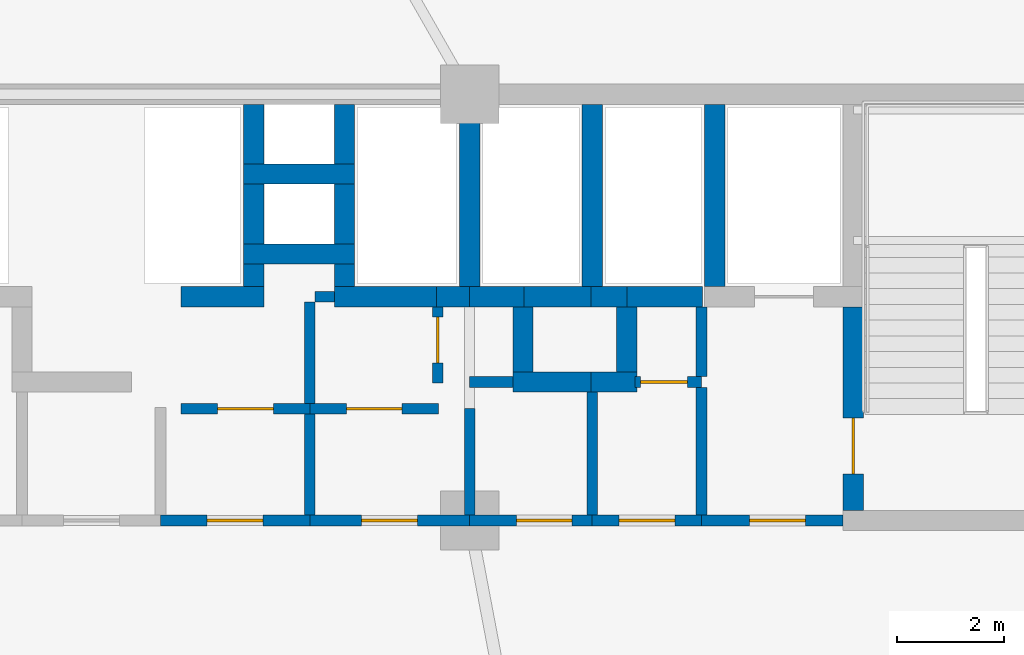
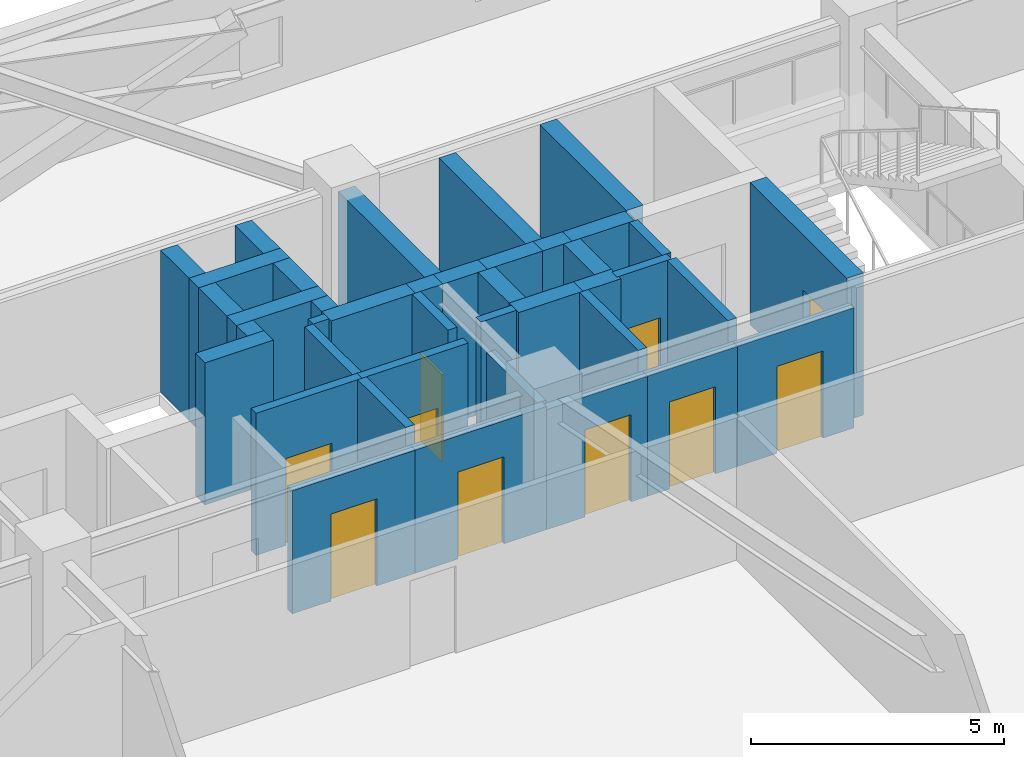
# One storey, part 22 of 27: 40 walls, 10 doors, 10 openings.
"""IFC4 building model written with IfcOpenShell, lengths in metres."""

from ifc_helpers import new_model, si_unit, direction, frame, frame_2d, origin, place, context, subcontext, project, spatial, rectangle, extrude, source, transform, mapped, material, layer, layer_set, type_object, element, fill, save


model = new_model("IFC4")

# Units and contexts
model_context = context("Model", 3, precision=1e-05, world=origin(), true_north=direction((0.0, 1.0)))
body_context = subcontext(model_context, "Body", "Model", "MODEL_VIEW")
ifc_project = project(units=[si_unit("LENGTHUNIT", "METRE"), si_unit("AREAUNIT", "SQUARE_METRE"), si_unit("VOLUMEUNIT", "CUBIC_METRE"), si_unit("PLANEANGLEUNIT", "RADIAN"), si_unit("MASSUNIT", "GRAM", prefix="KILO")], contexts=[model_context])

# Site, building, storey
site_placement = place(None, origin())
site = spatial("IfcSite", under=ifc_project, at=site_placement, CompositionType="ELEMENT")
building_placement = place(site_placement, origin())
building = spatial("IfcBuilding", under=site, at=building_placement, Name="Taldren Reach Tower", CompositionType="ELEMENT")
storey_placement = place(building_placement, frame((0.0, 0.0, 12.949951171875)))
storey = spatial("IfcBuildingStorey", under=building, at=storey_placement, Name="L03", CompositionType="ELEMENT", Elevation=12.949951171875)

# Walls
ifc_material_1 = material(Name="Concrete S80 (80 MPa)", Category="concrete")
ifc_layer_1 = layer(ifc_material_1, 0.3798828125)
ifc_layer_set_1 = layer_set([ifc_layer_1], Name="Concrete S80 (80 MPa)")
wall_type_1 = type_object("IfcWallType", Name="IW-CORE-380", PredefinedType="SHEAR", material=ifc_layer_set_1)
shared_shape_1 = source(origin(), body_context, "Body", "SweptSolid", [
    extrude(rectangle(XDim=3.420166015625, YDim=0.3798828125, at=frame_2d((1.7099609375, 0.0))), origin(), (0.0, 0.0, 1.0), 3.429931640625),
])
for number, where, z_axis, x_axis, name in (
    (1, (43.800048828125, 31.81005859375, 0.0), (0.0, 0.0, 1.0), (0.0, -1.0, 0.0), "Rear Core Shear Wall W-INT-L03-012"),
    (2, (39.199951171875, 28.389892578125, 0.0), (0.0, 0.0, 1.0), (0.0, 1.0, 0.0), "Rear Core Shear Wall W-INT-L03-037"),
    (3, (41.5, 28.389892578125, 0.0), (0.0, 0.0, 1.0), (0.0, 1.0, 0.0), "Rear Core Shear Wall W-INT-L03-041"),
):
    element("IfcWall", number, at=place(storey_placement, frame(where, z_axis=z_axis, x_axis=x_axis)), inside=storey, type_object=wall_type_1, Name=name, PredefinedType="SHEAR", context=body_context, shape_type="MappedRepresentation", body=[
        mapped(shared_shape_1, transform((0.0, 0.0, 0.0), scale=1.0)),
    ])

# Wall, opening, door
shared_shape_2 = source(origin(), body_context, "Body", "SweptSolid", [
    extrude(rectangle(XDim=3.820068359375, YDim=0.3798828125, at=frame_2d((1.91015625, 0.0))), origin(), (0.0, 0.0, 1.0), 3.429931640625),
])
wall_1_placement = place(storey_placement, frame((46.39990234375, 28.010009765625, 0.0), z_axis=(0.0, 0.0, 1.0), x_axis=(0.0, -1.0, 0.0)))
wall_1 = element("IfcWall", 4, at=wall_1_placement, inside=storey, type_object=wall_type_1, Name="Rear Core Shear Wall W-INT-L03-009", PredefinedType="SHEAR", context=body_context, shape_type="MappedRepresentation", body=[
    mapped(shared_shape_2, transform((0.0, 0.0, 0.0), scale=1.0)),
])
shared_shape_3 = source(origin(), body_context, "Body", "SweptSolid", [
    extrude(rectangle(XDim=1.050048828125, YDim=2.10009765625, at=frame_2d((0.52490234375, 1.050048828125))), frame((0.0, 0.199951171875, 0.0), z_axis=(0.0, -1.0, 0.0), x_axis=(1.0, 0.0, 0.0)), (0.0, 0.0, 1.0), 0.39990234375),
])
opening_1_placement = place(wall_1_placement, frame((2.0849609375, 0.0, 0.0)))
opening_1 = element("IfcOpeningElement", 5, at=opening_1_placement, cuts=wall_1, Name="Opening DF-105", PredefinedType="OPENING", context=body_context, shape_type="MappedRepresentation", body=[
    mapped(shared_shape_3, transform((0.0, 0.0, 0.0), scale=1.0)),
])
ifc_material_2 = material(Name="Fire-Rated Care and Stair Exit Door")
door_type_1 = type_object("IfcDoorType", Name="ID-FIRE-105", OperationType="NOTDEFINED", PredefinedType="DOOR", material=ifc_material_2)
shared_shape_4 = source(origin(), body_context, "Body", "SweptSolid", [
    extrude(rectangle(XDim=1.050048828125, YDim=2.10009765625, at=frame_2d((0.52490234375, 1.050048828125))), frame((0.0, 0.02490234375, 0.0), z_axis=(0.0, -1.0, 0.0), x_axis=(1.0, 0.0, 0.0)), (0.0, 0.0, 1.0), 0.050048828125),
])
door_1_placement = place(opening_1_placement, origin())
door_1 = element("IfcDoor", 6, at=door_1_placement, inside=storey, type_object=door_type_1, Name="Fire Exit Stair Door DR-L03-003", OperationType="SINGLE_SWING_RIGHT", OverallHeight=2.10009765625, OverallWidth=1.050048828125, PredefinedType="DOOR", context=body_context, shape_type="MappedRepresentation", body=[
    mapped(shared_shape_4, transform((0.0, 0.0, 0.0), scale=1.0)),
])
fill(opening_1, door_1)

# Walls
ifc_material_3 = material(Name="Concrete S50 (50 MPa)", Category="concrete")
ifc_layer_2 = layer(ifc_material_3, 0.199951171875)
ifc_layer_set_2 = layer_set([ifc_layer_2], Name="Concrete S50 (50 MPa)")
wall_type_2 = type_object("IfcWallType", Name="IW-CORE-200", PredefinedType="SOLIDWALL", material=ifc_layer_set_2)
shared_shape_5 = source(origin(), body_context, "Body", "SweptSolid", [
    extrude(rectangle(XDim=2.39990234375, YDim=0.199951171875, at=frame_2d((1.199951171875, 0.0))), origin(), (0.0, 0.0, 1.0), 3.429931640625),
])
wall_2_placement = place(storey_placement, frame((43.550048828125, 26.5, 0.0), z_axis=(0.0, 0.0, 1.0), x_axis=(0.0, -1.0, 0.0)))
element("IfcWall", 7, at=wall_2_placement, inside=storey, type_object=wall_type_2, Name="Rear Core Shear Wall W-INT-L03-013", PredefinedType="SOLIDWALL", context=body_context, shape_type="MappedRepresentation", body=[
    mapped(shared_shape_5, transform((0.0, 0.0, 0.0), scale=1.0)),
])
shared_shape_6 = source(origin(), body_context, "Body", "SweptSolid", [
    extrude(rectangle(XDim=1.31005859375, YDim=0.199951171875, at=frame_2d((0.655029296875, 0.0))), origin(), (0.0, 0.0, 1.0), 3.429931640625),
])
wall_3_placement = place(storey_placement, frame((43.550048828125, 28.010009765625, 0.0), z_axis=(0.0, 0.0, 1.0), x_axis=(0.0, -1.0, 0.0)))
element("IfcWall", 8, at=wall_3_placement, inside=storey, type_object=wall_type_2, Name="Rear Core Shear Wall W-INT-L03-014", PredefinedType="SOLIDWALL", context=body_context, shape_type="MappedRepresentation", body=[
    mapped(shared_shape_6, transform((0.0, 0.0, 0.0), scale=1.0)),
])

# Wall, opening, door
shared_shape_7 = source(origin(), body_context, "Body", "SweptSolid", [
    extrude(rectangle(XDim=2.659912109375, YDim=0.199951171875, at=frame_2d((1.330078125, 0.0))), origin(), (0.0, 0.0, 1.0), 2.89697265625),
])
wall_4_placement = place(storey_placement, frame((43.550048828125, 24.0, 0.0), z_axis=(0.0, 0.0, 1.0), x_axis=(1.0, 0.0, 0.0)))
wall_4 = element("IfcWall", 9, at=wall_4_placement, inside=storey, type_object=wall_type_2, Name="Rear Core Shear Wall W-INT-L03-015", PredefinedType="SOLIDWALL", context=body_context, shape_type="MappedRepresentation", body=[
    mapped(shared_shape_7, transform((0.0, 0.0, 0.0), scale=1.0)),
])
shared_shape_8 = source(origin(), body_context, "Body", "SweptSolid", [
    extrude(rectangle(XDim=1.050048828125, YDim=2.10009765625, at=frame_2d((0.52490234375, 1.050048828125))), frame((0.0, 0.10986328125, 0.0), z_axis=(0.0, -1.0, 0.0), x_axis=(1.0, 0.0, 0.0)), (0.0, 0.0, 1.0), 0.219970703125),
])
opening_2_placement = place(wall_4_placement, frame((0.89990234375, 0.0, 0.0)))
opening_2 = element("IfcOpeningElement", 10, at=opening_2_placement, cuts=wall_4, Name="Opening DF-105", PredefinedType="OPENING", context=body_context, shape_type="MappedRepresentation", body=[
    mapped(shared_shape_8, transform((0.0, 0.0, 0.0), scale=1.0)),
])
door_2_placement = place(opening_2_placement, origin())
door_2 = element("IfcDoor", 11, at=door_2_placement, inside=storey, type_object=door_type_1, Name="Interior Door DR-L03-004", OperationType="SINGLE_SWING_LEFT", OverallHeight=2.10009765625, OverallWidth=1.050048828125, PredefinedType="DOOR", context=body_context, shape_type="MappedRepresentation", body=[
    mapped(shared_shape_4, transform((0.0, 0.0, 0.0), scale=1.0)),
])
fill(opening_2, door_2)

# Walls
shared_shape_9 = source(origin(), body_context, "Body", "SweptSolid", [
    extrude(rectangle(XDim=2.080078125, YDim=0.3798828125, at=frame_2d((1.0400390625, 0.0))), origin(), (0.0, 0.0, 1.0), 3.429931640625),
])
for number, where, z_axis, x_axis, name in (
    (12, (34.9599609375, 30.5, 0.0), (0.0, 0.0, 1.0), (1.0, 0.0, 0.0), "Rear Core Shear Wall W-INT-L03-016"),
    (13, (34.9599609375, 29.0, 0.0), (0.0, 0.0, 1.0), (1.0, 0.0, 0.0), "Rear Core Shear Wall W-INT-L03-021"),
):
    element("IfcWall", number, at=place(storey_placement, frame(where, z_axis=z_axis, x_axis=x_axis)), inside=storey, type_object=wall_type_1, Name=name, PredefinedType="SHEAR", context=body_context, shape_type="MappedRepresentation", body=[
        mapped(shared_shape_9, transform((0.0, 0.0, 0.0), scale=1.0)),
    ])
shared_shape_10 = source(origin(), body_context, "Body", "SweptSolid", [
    extrude(rectangle(XDim=1.1201171875, YDim=0.3798828125, at=frame_2d((0.56005859375, 0.0))), origin(), (0.0, 0.0, 1.0), 3.429931640625),
])
for number, where, z_axis, x_axis, name in (
    (14, (35.14990234375, 31.81005859375, 0.0), (0.0, 0.0, 1.0), (0.0, -1.0, 0.0), "Rear Core Shear Wall W-INT-L03-017"),
    (15, (36.85009765625, 30.68994140625, 0.0), (0.0, 0.0, 1.0), (0.0, 1.0, 0.0), "Rear Core Shear Wall W-INT-L03-018"),
    (16, (35.14990234375, 30.31005859375, 0.0), (0.0, 0.0, 1.0), (0.0, -1.0, 0.0), "Rear Core Shear Wall W-INT-L03-019"),
    (17, (36.85009765625, 29.18994140625, 0.0), (0.0, 0.0, 1.0), (0.0, 1.0, 0.0), "Rear Core Shear Wall W-INT-L03-020"),
):
    element("IfcWall", number, at=place(storey_placement, frame(where, z_axis=z_axis, x_axis=x_axis)), inside=storey, type_object=wall_type_1, Name=name, PredefinedType="SHEAR", context=body_context, shape_type="MappedRepresentation", body=[
        mapped(shared_shape_10, transform((0.0, 0.0, 0.0), scale=1.0)),
    ])
shared_shape_11 = source(origin(), body_context, "Body", "SweptSolid", [
    extrude(rectangle(XDim=1.219970703125, YDim=0.3798828125, at=frame_2d((0.60986328125, 0.0))), origin(), (0.0, 0.0, 1.0), 3.429931640625),
])
for number, where, z_axis, x_axis, name in (
    (18, (40.199951171875, 28.010009765625, 0.0), (0.0, 0.0, 1.0), (0.0, -1.0, 0.0), "Rear Core Shear Wall W-INT-L03-027"),
    (19, (42.14990234375, 26.7900390625, 0.0), (0.0, 0.0, 1.0), (0.0, 1.0, 0.0), "Rear Core Shear Wall W-INT-L03-029"),
):
    element("IfcWall", number, at=place(storey_placement, frame(where, z_axis=z_axis, x_axis=x_axis)), inside=storey, type_object=wall_type_1, Name=name, PredefinedType="SHEAR", context=body_context, shape_type="MappedRepresentation", body=[
        mapped(shared_shape_11, transform((0.0, 0.0, 0.0), scale=1.0)),
    ])
shared_shape_12 = source(origin(), body_context, "Body", "SweptSolid", [
    extrude(rectangle(XDim=1.320068359375, YDim=0.3798828125, at=frame_2d((0.66015625, 0.0))), origin(), (0.0, 0.0, 1.0), 3.429931640625),
])
wall_5_placement = place(storey_placement, frame((41.52001953125, 28.199951171875, 0.0), z_axis=(0.0, 0.0, 1.0), x_axis=(-1.0, 0.0, 0.0)))
element("IfcWall", 20, at=wall_5_placement, inside=storey, type_object=wall_type_1, Name="Rear Core Shear Wall W-INT-L03-024", PredefinedType="SHEAR", context=body_context, shape_type="MappedRepresentation", body=[
    mapped(shared_shape_12, transform((0.0, 0.0, 0.0), scale=1.0)),
])
shared_shape_13 = source(origin(), body_context, "Body", "SweptSolid", [
    extrude(rectangle(XDim=0.669921875, YDim=0.3798828125, at=frame_2d((0.3349609375, 0.0))), origin(), (0.0, 0.0, 1.0), 3.429931640625),
])
wall_6_placement = place(storey_placement, frame((42.14990234375, 28.199951171875, 0.0), z_axis=(0.0, 0.0, 1.0), x_axis=(-1.0, 0.0, 0.0)))
element("IfcWall", 21, at=wall_6_placement, inside=storey, type_object=wall_type_1, Name="Rear Core Shear Wall W-INT-L03-025", PredefinedType="SHEAR", context=body_context, shape_type="MappedRepresentation", body=[
    mapped(shared_shape_13, transform((0.0, 0.0, 0.0), scale=1.0)),
])
shared_shape_14 = source(origin(), body_context, "Body", "SweptSolid", [
    extrude(rectangle(XDim=1.510009765625, YDim=0.3798828125, at=frame_2d((0.7548828125, 0.0))), origin(), (0.0, 0.0, 1.0), 3.429931640625),
])
wall_7_placement = place(storey_placement, frame((40.010009765625, 26.60009765625, 0.0), z_axis=(0.0, 0.0, 1.0), x_axis=(1.0, 0.0, 0.0)))
element("IfcWall", 22, at=wall_7_placement, inside=storey, type_object=wall_type_1, Name="Rear Core Shear Wall W-INT-L03-026", PredefinedType="SHEAR", context=body_context, shape_type="MappedRepresentation", body=[
    mapped(shared_shape_14, transform((0.0, 0.0, 0.0), scale=1.0)),
])
shared_shape_15 = source(origin(), body_context, "Body", "SweptSolid", [
    extrude(rectangle(XDim=0.860107421875, YDim=0.3798828125, at=frame_2d((0.43017578125, 0.0))), origin(), (0.0, 0.0, 1.0), 3.429931640625),
])
wall_8_placement = place(storey_placement, frame((41.47998046875, 26.60009765625, 0.0), z_axis=(0.0, 0.0, 1.0), x_axis=(1.0, 0.0, 0.0)))
element("IfcWall", 23, at=wall_8_placement, inside=storey, type_object=wall_type_1, Name="Rear Core Shear Wall W-INT-L03-028", PredefinedType="SHEAR", context=body_context, shape_type="MappedRepresentation", body=[
    mapped(shared_shape_15, transform((0.0, 0.0, 0.0), scale=1.0)),
])
shared_shape_16 = source(origin(), body_context, "Body", "SweptSolid", [
    extrude(rectangle(XDim=2.309814453125, YDim=0.199951171875, at=frame_2d((1.15478515625, 0.0))), origin(), (0.0, 0.0, 1.0), 3.429931640625),
])
wall_9_placement = place(storey_placement, frame((41.5, 26.409912109375, 0.0), z_axis=(0.0, 0.0, 1.0), x_axis=(0.0, -1.0, 0.0)))
element("IfcWall", 24, at=wall_9_placement, inside=storey, type_object=wall_type_2, Name="Rear Core Shear Wall W-INT-L03-056", PredefinedType="SOLIDWALL", context=body_context, shape_type="MappedRepresentation", body=[
    mapped(shared_shape_16, transform((0.0, 0.0, 0.0), scale=1.0)),
])
shared_shape_17 = source(origin(), body_context, "Body", "SweptSolid", [
    extrude(rectangle(XDim=1.56005859375, YDim=0.3798828125, at=frame_2d((0.780029296875, 0.0))), origin(), (0.0, 0.0, 1.0), 3.429931640625),
])
wall_10_placement = place(storey_placement, frame((33.780029296875, 28.199951171875, 0.0), z_axis=(0.0, 0.0, 1.0), x_axis=(1.0, 0.0, 0.0)))
element("IfcWall", 25, at=wall_10_placement, inside=storey, type_object=wall_type_1, Name="Rear Core Shear Wall W-INT-L03-035", PredefinedType="SHEAR", context=body_context, shape_type="MappedRepresentation", body=[
    mapped(shared_shape_17, transform((0.0, 0.0, 0.0), scale=1.0)),
])
shared_shape_18 = source(origin(), body_context, "Body", "SweptSolid", [
    extrude(rectangle(XDim=0.420166015625, YDim=0.3798828125, at=frame_2d((0.2099609375, 0.0))), origin(), (0.0, 0.0, 1.0), 3.429931640625),
])
for number, where, z_axis, x_axis, name in (
    (26, (35.14990234375, 28.389892578125, 0.0), (0.0, 0.0, 1.0), (0.0, 1.0, 0.0), "Rear Core Shear Wall W-INT-L03-036"),
    (27, (36.85009765625, 28.81005859375, 0.0), (0.0, 0.0, 1.0), (0.0, -1.0, 0.0), "Rear Core Shear Wall W-INT-L03-038"),
):
    element("IfcWall", number, at=place(storey_placement, frame(where, z_axis=z_axis, x_axis=x_axis)), inside=storey, type_object=wall_type_1, Name=name, PredefinedType="SHEAR", context=body_context, shape_type="MappedRepresentation", body=[
        mapped(shared_shape_18, transform((0.0, 0.0, 0.0), scale=1.0)),
    ])
shared_shape_19 = source(origin(), body_context, "Body", "SweptSolid", [
    extrude(rectangle(XDim=1.960205078125, YDim=0.3798828125, at=frame_2d((0.97998046875, 0.0))), origin(), (0.0, 0.0, 1.0), 3.429931640625),
])
wall_11_placement = place(storey_placement, frame((36.659912109375, 28.199951171875, 0.0), z_axis=(0.0, 0.0, 1.0), x_axis=(1.0, 0.0, 0.0)))
element("IfcWall", 28, at=wall_11_placement, inside=storey, type_object=wall_type_1, Name="Rear Core Shear Wall W-INT-L03-039", PredefinedType="SHEAR", context=body_context, shape_type="MappedRepresentation", body=[
    mapped(shared_shape_19, transform((0.0, 0.0, 0.0), scale=1.0)),
])
shared_shape_20 = source(origin(), body_context, "Body", "SweptSolid", [
    extrude(rectangle(XDim=0.619873046875, YDim=0.3798828125, at=frame_2d((0.31005859375, 0.0))), origin(), (0.0, 0.0, 1.0), 3.429931640625),
])
wall_12_placement = place(storey_placement, frame((38.580078125, 28.199951171875, 0.0), z_axis=(0.0, 0.0, 1.0), x_axis=(1.0, 0.0, 0.0)))
element("IfcWall", 29, at=wall_12_placement, inside=storey, type_object=wall_type_1, Name="Rear Core Shear Wall W-INT-L03-040", PredefinedType="SHEAR", context=body_context, shape_type="MappedRepresentation", body=[
    mapped(shared_shape_20, transform((0.0, 0.0, 0.0), scale=1.0)),
])
shared_shape_21 = source(origin(), body_context, "Body", "SweptSolid", [
    extrude(rectangle(XDim=1.02001953125, YDim=0.3798828125, at=frame_2d((0.510009765625, 0.0))), origin(), (0.0, 0.0, 1.0), 3.429931640625),
])
wall_13_placement = place(storey_placement, frame((39.199951171875, 28.199951171875, 0.0), z_axis=(0.0, 0.0, 1.0), x_axis=(1.0, 0.0, 0.0)))
element("IfcWall", 30, at=wall_13_placement, inside=storey, type_object=wall_type_1, Name="Rear Core Shear Wall W-INT-L03-042", PredefinedType="SHEAR", context=body_context, shape_type="MappedRepresentation", body=[
    mapped(shared_shape_21, transform((0.0, 0.0, 0.0), scale=1.0)),
])
shared_shape_22 = source(origin(), body_context, "Body", "SweptSolid", [
    extrude(rectangle(XDim=1.440185546875, YDim=0.3798828125, at=frame_2d((0.72021484375, 0.0))), origin(), (0.0, 0.0, 1.0), 3.429931640625),
])
wall_14_placement = place(storey_placement, frame((42.1298828125, 28.199951171875, 0.0), z_axis=(0.0, 0.0, 1.0), x_axis=(1.0, 0.0, 0.0)))
element("IfcWall", 31, at=wall_14_placement, inside=storey, type_object=wall_type_1, Name="Rear Core Shear Wall W-INT-L03-043", PredefinedType="SHEAR", context=body_context, shape_type="MappedRepresentation", body=[
    mapped(shared_shape_22, transform((0.0, 0.0, 0.0), scale=1.0)),
])

# Wall, opening, door
shared_shape_23 = source(origin(), body_context, "Body", "SweptSolid", [
    extrude(rectangle(XDim=2.419921875, YDim=0.199951171875, at=frame_2d((1.2099609375, 0.0))), origin(), (0.0, 0.0, 1.0), 3.429931640625),
])
wall_15_placement = place(storey_placement, frame((33.780029296875, 26.10009765625, 0.0), z_axis=(0.0, 0.0, 1.0), x_axis=(1.0, 0.0, 0.0)))
wall_15 = element("IfcWall", 32, at=wall_15_placement, inside=storey, type_object=wall_type_2, Name="Rear Core Shear Wall W-INT-L03-046", PredefinedType="SOLIDWALL", context=body_context, shape_type="MappedRepresentation", body=[
    mapped(shared_shape_23, transform((0.0, 0.0, 0.0), scale=1.0)),
])
opening_3_placement = place(wall_15_placement, frame((0.68505859375, 0.0, 0.0)))
opening_3 = element("IfcOpeningElement", 33, at=opening_3_placement, cuts=wall_15, Name="Opening DF-105", PredefinedType="OPENING", context=body_context, shape_type="MappedRepresentation", body=[
    mapped(shared_shape_8, transform((0.0, 0.0, 0.0), scale=1.0)),
])
door_3_placement = place(opening_3_placement, origin())
door_3 = element("IfcDoor", 34, at=door_3_placement, inside=storey, type_object=door_type_1, Name="Interior Door DR-L03-007", OperationType="SINGLE_SWING_RIGHT", OverallHeight=2.10009765625, OverallWidth=1.050048828125, PredefinedType="DOOR", context=body_context, shape_type="MappedRepresentation", body=[
    mapped(shared_shape_4, transform((0.0, 0.0, 0.0), scale=1.0)),
])
fill(opening_3, door_3)

# Wall
shared_shape_24 = source(origin(), body_context, "Body", "SweptSolid", [
    extrude(rectangle(XDim=1.89990234375, YDim=0.199951171875, at=frame_2d((0.949951171875, 0.0))), origin(), (0.0, 0.0, 1.0), 3.429931640625),
])
wall_16_placement = place(storey_placement, frame((36.199951171875, 26.0, 0.0), z_axis=(0.0, 0.0, 1.0), x_axis=(0.0, -1.0, 0.0)))
element("IfcWall", 35, at=wall_16_placement, inside=storey, type_object=wall_type_2, Name="Rear Core Shear Wall W-INT-L03-047", PredefinedType="SOLIDWALL", context=body_context, shape_type="MappedRepresentation", body=[
    mapped(shared_shape_24, transform((0.0, 0.0, 0.0), scale=1.0)),
])

# Wall, opening, door
shared_shape_25 = source(origin(), body_context, "Body", "SweptSolid", [
    extrude(rectangle(XDim=2.800048828125, YDim=0.199951171875, at=frame_2d((1.39990234375, 0.0))), origin(), (0.0, 0.0, 1.0), 2.969970703125),
])
wall_17_placement = place(storey_placement, frame((36.199951171875, 24.0, 0.0), z_axis=(0.0, 0.0, 1.0), x_axis=(-1.0, 0.0, 0.0)))
wall_17 = element("IfcWall", 36, at=wall_17_placement, inside=storey, type_object=wall_type_2, Name="Rear Core Shear Wall W-INT-L03-048", PredefinedType="SOLIDWALL", context=body_context, shape_type="MappedRepresentation", body=[
    mapped(shared_shape_25, transform((0.0, 0.0, 0.0), scale=1.0)),
])
opening_4_placement = place(wall_17_placement, frame((0.875, 0.0, 0.0)))
opening_4 = element("IfcOpeningElement", 37, at=opening_4_placement, cuts=wall_17, Name="Opening DF-105", PredefinedType="OPENING", context=body_context, shape_type="MappedRepresentation", body=[
    mapped(shared_shape_8, transform((0.0, 0.0, 0.0), scale=1.0)),
])
door_4_placement = place(opening_4_placement, frame((1.050048828125, 0.0, 0.0), z_axis=(0.0, 0.0, 1.0), x_axis=(-1.0, 0.0, 0.0)))
door_4 = element("IfcDoor", 38, at=door_4_placement, inside=storey, type_object=door_type_1, Name="Interior Door DR-L03-008", OperationType="SINGLE_SWING_RIGHT", OverallHeight=2.10009765625, OverallWidth=1.050048828125, PredefinedType="DOOR", context=body_context, shape_type="MappedRepresentation", body=[
    mapped(shared_shape_4, transform((0.0, 0.0, 0.0), scale=1.0)),
])
fill(opening_4, door_4)

# Walls
shared_shape_26 = source(origin(), body_context, "Body", "SweptSolid", [
    extrude(rectangle(XDim=1.900146484375, YDim=0.199951171875, at=frame_2d((0.9501953125, 0.0))), origin(), (0.0, 0.0, 1.0), 3.429931640625),
])
wall_18_placement = place(storey_placement, frame((36.199951171875, 28.10009765625, 0.0), z_axis=(0.0, 0.0, 1.0), x_axis=(0.0, -1.0, 0.0)))
element("IfcWall", 39, at=wall_18_placement, inside=storey, type_object=wall_type_2, Name="Rear Core Shear Wall W-INT-L03-049", PredefinedType="SOLIDWALL", context=body_context, shape_type="MappedRepresentation", body=[
    mapped(shared_shape_26, transform((0.0, 0.0, 0.0), scale=1.0)),
])
shared_shape_27 = source(origin(), body_context, "Body", "SweptSolid", [
    extrude(rectangle(XDim=0.35986328125, YDim=0.199951171875, at=frame_2d((0.179931640625, 0.0))), origin(), (0.0, 0.0, 1.0), 3.429931640625),
])
wall_19_placement = place(storey_placement, frame((36.659912109375, 28.199951171875, 0.0), z_axis=(0.0, 0.0, 1.0), x_axis=(-1.0, 0.0, 0.0)))
element("IfcWall", 40, at=wall_19_placement, inside=storey, type_object=wall_type_2, Name="Rear Core Shear Wall W-INT-L03-050", PredefinedType="SOLIDWALL", context=body_context, shape_type="MappedRepresentation", body=[
    mapped(shared_shape_27, transform((0.0, 0.0, 0.0), scale=1.0)),
])

# Wall, opening, door
shared_shape_28 = source(origin(), body_context, "Body", "SweptSolid", [
    extrude(rectangle(XDim=2.420166015625, YDim=0.199951171875, at=frame_2d((1.2099609375, 0.0))), origin(), (0.0, 0.0, 1.0), 3.429931640625),
])
wall_20_placement = place(storey_placement, frame((36.199951171875, 26.10009765625, 0.0), z_axis=(0.0, 0.0, 1.0), x_axis=(1.0, 0.0, 0.0)))
wall_20 = element("IfcWall", 41, at=wall_20_placement, inside=storey, type_object=wall_type_2, Name="Rear Core Shear Wall W-INT-L03-051", PredefinedType="SOLIDWALL", context=body_context, shape_type="MappedRepresentation", body=[
    mapped(shared_shape_28, transform((0.0, 0.0, 0.0), scale=1.0)),
])
opening_5_placement = place(wall_20_placement, frame((0.68505859375, 0.0, 0.0)))
opening_5 = element("IfcOpeningElement", 42, at=opening_5_placement, cuts=wall_20, Name="Opening DF-105", PredefinedType="OPENING", context=body_context, shape_type="MappedRepresentation", body=[
    mapped(shared_shape_8, transform((0.0, 0.0, 0.0), scale=1.0)),
])
door_5_placement = place(opening_5_placement, origin())
door_5 = element("IfcDoor", 43, at=door_5_placement, inside=storey, type_object=door_type_1, Name="Interior Door DR-L03-009", OperationType="SINGLE_SWING_RIGHT", OverallHeight=2.10009765625, OverallWidth=1.050048828125, PredefinedType="DOOR", context=body_context, shape_type="MappedRepresentation", body=[
    mapped(shared_shape_4, transform((0.0, 0.0, 0.0), scale=1.0)),
])
fill(opening_5, door_5)

# Wall
shared_shape_29 = source(origin(), body_context, "Body", "SweptSolid", [
    extrude(rectangle(XDim=2.0, YDim=0.199951171875, at=frame_2d((1.0, 0.0))), origin(), (0.0, 0.0, 1.0), 2.969970703125),
])
wall_21_placement = place(storey_placement, frame((39.199951171875, 26.10009765625, 0.0), z_axis=(0.0, 0.0, 1.0), x_axis=(0.0, -1.0, 0.0)))
element("IfcWall", 44, at=wall_21_placement, inside=storey, type_object=wall_type_2, Name="Rear Core Shear Wall W-INT-L03-052", PredefinedType="SOLIDWALL", context=body_context, shape_type="MappedRepresentation", body=[
    mapped(shared_shape_29, transform((0.0, 0.0, 0.0), scale=1.0)),
])

# Wall, opening, door
shared_shape_30 = source(origin(), body_context, "Body", "SweptSolid", [
    extrude(rectangle(XDim=3.0, YDim=0.199951171875, at=frame_2d((1.5, 0.0))), origin(), (0.0, 0.0, 1.0), 2.969970703125),
])
wall_22_placement = place(storey_placement, frame((39.199951171875, 24.0, 0.0), z_axis=(0.0, 0.0, 1.0), x_axis=(-1.0, 0.0, 0.0)))
wall_22 = element("IfcWall", 45, at=wall_22_placement, inside=storey, type_object=wall_type_2, Name="Rear Core Shear Wall W-INT-L03-053", PredefinedType="SOLIDWALL", context=body_context, shape_type="MappedRepresentation", body=[
    mapped(shared_shape_30, transform((0.0, 0.0, 0.0), scale=1.0)),
])
opening_6_placement = place(wall_22_placement, frame((0.97509765625, 0.0, 0.0)))
opening_6 = element("IfcOpeningElement", 46, at=opening_6_placement, cuts=wall_22, Name="Opening DF-105", PredefinedType="OPENING", context=body_context, shape_type="MappedRepresentation", body=[
    mapped(shared_shape_8, transform((0.0, 0.0, 0.0), scale=1.0)),
])
door_6_placement = place(opening_6_placement, frame((1.050048828125, 0.0, 0.0), z_axis=(0.0, 0.0, 1.0), x_axis=(-1.0, 0.0, 0.0)))
door_6 = element("IfcDoor", 47, at=door_6_placement, inside=storey, type_object=door_type_1, Name="Interior Door DR-L03-010", OperationType="SINGLE_SWING_RIGHT", OverallHeight=2.10009765625, OverallWidth=1.050048828125, PredefinedType="DOOR", context=body_context, shape_type="MappedRepresentation", body=[
    mapped(shared_shape_4, transform((0.0, 0.0, 0.0), scale=1.0)),
])
fill(opening_6, door_6)

shared_shape_31 = source(origin(), body_context, "Body", "SweptSolid", [
    extrude(rectangle(XDim=1.429931640625, YDim=0.199951171875, at=frame_2d((0.71484375, 0.0))), origin(), (0.0, 0.0, 1.0), 3.429931640625),
])
wall_23_placement = place(storey_placement, frame((38.60009765625, 28.010009765625, 0.0), z_axis=(0.0, 0.0, 1.0), x_axis=(0.0, -1.0, 0.0)))
wall_23 = element("IfcWall", 48, at=wall_23_placement, inside=storey, type_object=wall_type_2, Name="Rear Core Shear Wall W-INT-L03-054", PredefinedType="SOLIDWALL", context=body_context, shape_type="MappedRepresentation", body=[
    mapped(shared_shape_31, transform((0.0, 0.0, 0.0), scale=1.0)),
])
shared_shape_32 = source(origin(), body_context, "Body", "SweptSolid", [
    extrude(rectangle(XDim=0.860107421875, YDim=2.10009765625, at=frame_2d((0.43017578125, 1.050048828125))), frame((0.0, 0.10986328125, 0.0), z_axis=(0.0, -1.0, 0.0), x_axis=(1.0, 0.0, 0.0)), (0.0, 0.0, 1.0), 0.219970703125),
])
opening_7_placement = place(wall_23_placement, frame((0.18994140625, 0.0, 0.0)))
opening_7 = element("IfcOpeningElement", 49, at=opening_7_placement, cuts=wall_23, Name="Opening DI-086", PredefinedType="OPENING", context=body_context, shape_type="MappedRepresentation", body=[
    mapped(shared_shape_32, transform((0.0, 0.0, 0.0), scale=1.0)),
])
ifc_material_4 = material(Name="Timber Bathroom Door", Category="wood")
door_type_2 = type_object("IfcDoorType", Name="ID-INT-086", OperationType="NOTDEFINED", PredefinedType="DOOR", material=ifc_material_4)
shared_shape_33 = source(origin(), body_context, "Body", "SweptSolid", [
    extrude(rectangle(XDim=0.860107421875, YDim=2.10009765625, at=frame_2d((0.43017578125, 1.050048828125))), frame((0.0, 0.02490234375, 0.0), z_axis=(0.0, -1.0, 0.0), x_axis=(1.0, 0.0, 0.0)), (0.0, 0.0, 1.0), 0.050048828125),
])
door_7_placement = place(opening_7_placement, origin())
door_7 = element("IfcDoor", 50, at=door_7_placement, inside=storey, type_object=door_type_2, Name="Interior Door DR-L03-025", OperationType="SINGLE_SWING_RIGHT", OverallHeight=2.10009765625, OverallWidth=0.860107421875, PredefinedType="DOOR", context=body_context, shape_type="MappedRepresentation", body=[
    mapped(shared_shape_33, transform((0.0, 0.0, 0.0), scale=1.0)),
])
fill(opening_7, door_7)

# Wall
shared_shape_34 = source(origin(), body_context, "Body", "SweptSolid", [
    extrude(rectangle(XDim=0.81005859375, YDim=0.199951171875, at=frame_2d((0.405029296875, 0.0))), origin(), (0.0, 0.0, 1.0), 3.429931640625),
])
wall_24_placement = place(storey_placement, frame((39.199951171875, 26.60009765625, 0.0), z_axis=(0.0, 0.0, 1.0), x_axis=(1.0, 0.0, 0.0)))
element("IfcWall", 51, at=wall_24_placement, inside=storey, type_object=wall_type_2, Name="Rear Core Shear Wall W-INT-L03-055", PredefinedType="SOLIDWALL", context=body_context, shape_type="MappedRepresentation", body=[
    mapped(shared_shape_34, transform((0.0, 0.0, 0.0), scale=1.0)),
])

# Wall, opening, door
shared_shape_35 = source(origin(), body_context, "Body", "SweptSolid", [
    extrude(rectangle(XDim=2.300048828125, YDim=0.199951171875, at=frame_2d((1.14990234375, 0.0))), origin(), (0.0, 0.0, 1.0), 2.89697265625),
])
wall_25_placement = place(storey_placement, frame((41.5, 24.0, 0.0), z_axis=(0.0, 0.0, 1.0), x_axis=(-1.0, 0.0, 0.0)))
wall_25 = element("IfcWall", 52, at=wall_25_placement, inside=storey, type_object=wall_type_2, Name="Rear Core Shear Wall W-INT-L03-057", PredefinedType="SOLIDWALL", context=body_context, shape_type="MappedRepresentation", body=[
    mapped(shared_shape_35, transform((0.0, 0.0, 0.0), scale=1.0)),
])
opening_8_placement = place(wall_25_placement, frame((0.375, 0.0, 0.0)))
opening_8 = element("IfcOpeningElement", 53, at=opening_8_placement, cuts=wall_25, Name="Opening DF-105", PredefinedType="OPENING", context=body_context, shape_type="MappedRepresentation", body=[
    mapped(shared_shape_8, transform((0.0, 0.0, 0.0), scale=1.0)),
])
door_8_placement = place(opening_8_placement, frame((1.050048828125, 0.0, 0.0), z_axis=(0.0, 0.0, 1.0), x_axis=(-1.0, 0.0, 0.0)))
door_8 = element("IfcDoor", 54, at=door_8_placement, inside=storey, type_object=door_type_1, Name="Interior Door DR-L03-011", OperationType="SINGLE_SWING_RIGHT", OverallHeight=2.10009765625, OverallWidth=1.050048828125, PredefinedType="DOOR", context=body_context, shape_type="MappedRepresentation", body=[
    mapped(shared_shape_4, transform((0.0, 0.0, 0.0), scale=1.0)),
])
fill(opening_8, door_8)

shared_shape_36 = source(origin(), body_context, "Body", "SweptSolid", [
    extrude(rectangle(XDim=1.25, YDim=0.199951171875, at=frame_2d((0.625, 0.0))), origin(), (0.0, 0.0, 1.0), 3.429931640625),
])
wall_26_placement = place(storey_placement, frame((42.300048828125, 26.60009765625, 0.0), z_axis=(0.0, 0.0, 1.0), x_axis=(1.0, 0.0, 0.0)))
wall_26 = element("IfcWall", 55, at=wall_26_placement, inside=storey, type_object=wall_type_2, Name="Rear Core Shear Wall W-INT-L03-058", PredefinedType="SOLIDWALL", context=body_context, shape_type="MappedRepresentation", body=[
    mapped(shared_shape_36, transform((0.0, 0.0, 0.0), scale=1.0)),
])
shared_shape_37 = source(origin(), body_context, "Body", "SweptSolid", [
    extrude(rectangle(XDim=0.8798828125, YDim=2.10009765625, at=frame_2d((0.43994140625, 1.050048828125))), frame((0.0, 0.10986328125, 0.0), z_axis=(0.0, -1.0, 0.0), x_axis=(1.0, 0.0, 0.0)), (0.0, 0.0, 1.0), 0.219970703125),
])
opening_9_placement = place(wall_26_placement, frame((0.110107421875, 0.0, 0.0)))
opening_9 = element("IfcOpeningElement", 56, at=opening_9_placement, cuts=wall_26, Name="Opening DF-088", PredefinedType="OPENING", context=body_context, shape_type="MappedRepresentation", body=[
    mapped(shared_shape_37, transform((0.0, 0.0, 0.0), scale=1.0)),
])
ifc_material_5 = material(Name="Fire-Rated Service Closet Door")
door_type_3 = type_object("IfcDoorType", Name="ID-FIRE-088", OperationType="NOTDEFINED", PredefinedType="DOOR", material=ifc_material_5)
shared_shape_38 = source(origin(), body_context, "Body", "SweptSolid", [
    extrude(rectangle(XDim=0.8798828125, YDim=2.10009765625, at=frame_2d((0.43994140625, 1.050048828125))), frame((0.0, 0.02490234375, 0.0), z_axis=(0.0, -1.0, 0.0), x_axis=(1.0, 0.0, 0.0)), (0.0, 0.0, 1.0), 0.050048828125),
])
door_9_placement = place(opening_9_placement, origin())
door_9 = element("IfcDoor", 57, at=door_9_placement, inside=storey, type_object=door_type_3, Name="Interior Door DR-L03-012", OperationType="SINGLE_SWING_LEFT", OverallHeight=2.10009765625, OverallWidth=0.8798828125, PredefinedType="DOOR", context=body_context, shape_type="MappedRepresentation", body=[
    mapped(shared_shape_38, transform((0.0, 0.0, 0.0), scale=1.0)),
])
fill(opening_9, door_9)

shared_shape_39 = source(origin(), body_context, "Body", "SweptSolid", [
    extrude(rectangle(XDim=2.050048828125, YDim=0.199951171875, at=frame_2d((1.02490234375, 0.0))), origin(), (0.0, 0.0, 1.0), 2.89697265625),
])
wall_27_placement = place(storey_placement, frame((43.550048828125, 24.0, 0.0), z_axis=(0.0, 0.0, 1.0), x_axis=(-1.0, 0.0, 0.0)))
wall_27 = element("IfcWall", 58, at=wall_27_placement, inside=storey, type_object=wall_type_2, Name="Rear Core Shear Wall W-INT-L03-059", PredefinedType="SOLIDWALL", context=body_context, shape_type="MappedRepresentation", body=[
    mapped(shared_shape_39, transform((0.0, 0.0, 0.0), scale=1.0)),
])
opening_10_placement = place(wall_27_placement, frame((0.5, 0.0, 0.0)))
opening_10 = element("IfcOpeningElement", 59, at=opening_10_placement, cuts=wall_27, Name="Opening DF-105", PredefinedType="OPENING", context=body_context, shape_type="MappedRepresentation", body=[
    mapped(shared_shape_8, transform((0.0, 0.0, 0.0), scale=1.0)),
])
door_10_placement = place(opening_10_placement, frame((1.050048828125, 0.0, 0.0), z_axis=(0.0, 0.0, 1.0), x_axis=(-1.0, 0.0, 0.0)))
door_10 = element("IfcDoor", 60, at=door_10_placement, inside=storey, type_object=door_type_1, Name="Interior Door DR-L03-013", OperationType="SINGLE_SWING_LEFT", OverallHeight=2.10009765625, OverallWidth=1.050048828125, PredefinedType="DOOR", context=body_context, shape_type="MappedRepresentation", body=[
    mapped(shared_shape_4, transform((0.0, 0.0, 0.0), scale=1.0)),
])
fill(opening_10, door_10)

save(model, "model.ifc")
